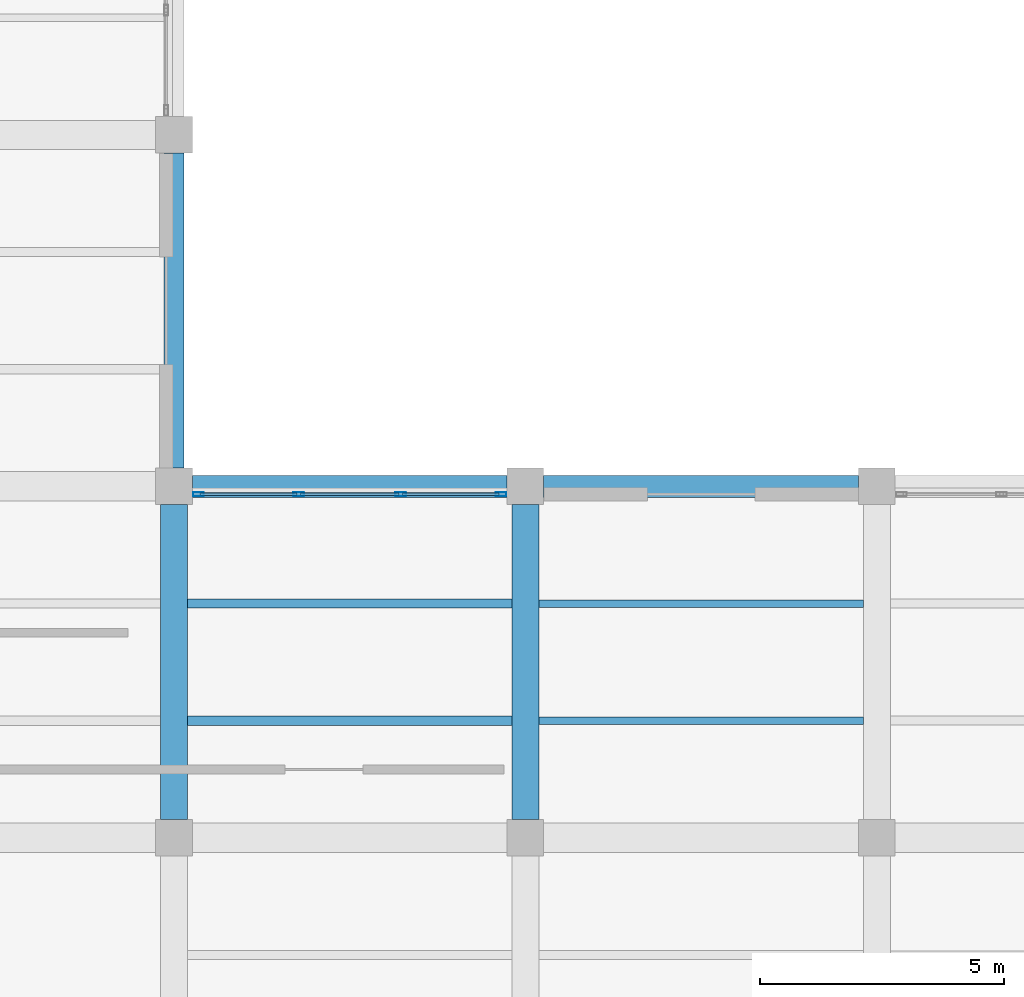
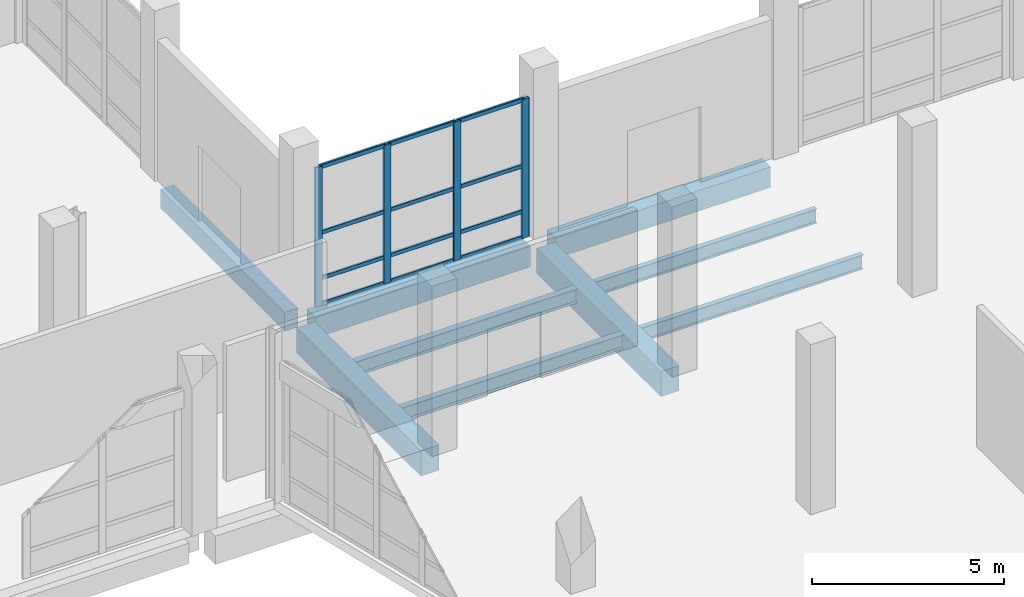
# One storey, part 80 of 137: 16 members, 9 beams, 1 element without a shape of its own.
"""IFC4 building model written with IfcOpenShell, lengths in metres."""

from ifc_helpers import new_model, si_unit, direction, frame, origin, origin_2d, place, context, subcontext, project, spatial, rectangle, hollow_rectangle, i_section, extrude, material, material_profile, profile_set, type_object, element, aggregate, save


model = new_model("IFC4")

# Units and contexts
model_context = context("Model", 3, precision=1e-05, world=origin(), true_north=direction((0.0, 1.0)))
body_context = subcontext(model_context, "Body", "Model", "MODEL_VIEW")
ifc_project = project(units=[si_unit("LENGTHUNIT", "METRE"), si_unit("AREAUNIT", "SQUARE_METRE"), si_unit("VOLUMEUNIT", "CUBIC_METRE"), si_unit("PLANEANGLEUNIT", "RADIAN"), si_unit("MASSUNIT", "GRAM", prefix="KILO")], contexts=[model_context])

# Site, building, storey
site_placement = place(None, origin())
site = spatial("IfcSite", under=ifc_project, at=site_placement, CompositionType="ELEMENT")
building_placement = place(site_placement, origin())
building = spatial("IfcBuilding", under=site, at=building_placement, Name="Kalmorath City Hall", CompositionType="ELEMENT")
storey_placement = place(building_placement, origin())
storey = spatial("IfcBuildingStorey", under=building, at=storey_placement, Name="L00", CompositionType="ELEMENT", Elevation=0.0)

# Beams
ifc_material_1 = material(Name="Concrete C40/50", Category="concrete")
ifc_material_profile_1 = material_profile(ifc_material_1, rectangle(XDim=0.39990234375, YDim=0.60009765625, at=origin_2d()), Name="RC-BM-400X600")
ifc_profile_set_1 = profile_set([ifc_material_profile_1], Name="Concrete C40/50")
beam_type_1 = type_object("IfcBeamType", Name="Concrete edge beam 400x600", PredefinedType="SPANDREL", material=ifc_profile_set_1)
beam_placement = place(storey_placement, frame((129.60009765625, 101.175048828125, -0.60400390625), z_axis=(0.0, 1.0, 0.0), x_axis=(-1.0, 0.0, 0.0)))
element("IfcBeam", 1, at=beam_placement, inside=storey, type_object=beam_type_1, Name="L00 girder CB6 Y19/15-16", PredefinedType="SPANDREL", context=body_context, shape_type="SweptSolid", body=[
    extrude(rectangle(XDim=0.39990234375, YDim=0.60009765625, at=origin_2d()), origin(), (0.0, 0.0, 1.0), 6.449951171875),
])
ifc_material_2 = material(Name="Concrete C40/50", Category="concrete")
ifc_material_profile_2 = material_profile(ifc_material_2, rectangle(XDim=0.550048828125, YDim=0.800048828125, at=origin_2d()), Name="RC-BM-550X800")
ifc_profile_set_2 = profile_set([ifc_material_profile_2], Name="Concrete C40/50")
beam_type_2 = type_object("IfcBeamType", Name="Concrete floor girder 550x800", PredefinedType="BEAM", material=ifc_profile_set_2)
for number, where, z_axis, x_axis, name in (
    (2, (129.60009765625, 93.97509765625, -0.7041015625), (0.0, 1.0, 0.0), (-1.0, 0.0, 0.0), "L00 girder CB2 Y19/14-15"),
    (3, (136.800048828125, 93.97509765625, -0.7041015625), (0.0, 1.0, 0.0), (-1.0, 0.0, 0.0), "L00 girder CB2 Y20/14-15"),
):
    element("IfcBeam", number, at=place(storey_placement, frame(where, z_axis=z_axis, x_axis=x_axis)), inside=storey, type_object=beam_type_2, Name=name, PredefinedType="BEAM", context=body_context, shape_type="SweptSolid", body=[
        extrude(rectangle(XDim=0.550048828125, YDim=0.800048828125, at=origin_2d()), origin(), (0.0, 0.0, 1.0), 6.449951171875),
    ])
ifc_material_3 = material(Name="Concrete C40/50", Category="concrete")
ifc_material_profile_3 = material_profile(ifc_material_3, rectangle(XDim=0.449951171875, YDim=0.64990234375, at=origin_2d()), Name="RC-BM-450X650")
ifc_profile_set_3 = profile_set([ifc_material_profile_3], Name="Concrete C40/50")
beam_type_3 = type_object("IfcBeamType", Name="Concrete spandrel beam 450x650", PredefinedType="SPANDREL", material=ifc_profile_set_3)
for number, where, z_axis, x_axis, name in (
    (4, (129.97509765625, 100.800048828125, -0.62890625), (1.0, 0.0, 0.0), (0.0, 1.0, 0.0), "L00 girder CB5 X19-20/15"),
    (5, (137.175048828125, 100.800048828125, -0.62890625), (1.0, 0.0, 0.0), (0.0, 1.0, 0.0), "L00 girder CB5 X20-21/15"),
):
    element("IfcBeam", number, at=place(storey_placement, frame(where, z_axis=z_axis, x_axis=x_axis)), inside=storey, type_object=beam_type_3, Name=name, PredefinedType="SPANDREL", context=body_context, shape_type="SweptSolid", body=[
        extrude(rectangle(XDim=0.449951171875, YDim=0.64990234375, at=origin_2d()), origin(), (0.0, 0.0, 1.0), 6.449951171875),
    ])

# Curtain wall, members
ifc_material_4 = material(Name="Anodised aluminium and laminated glass", Category="aluminium")
curtain_wall_type = type_object("IfcCurtainWallType", Name="Unitised hurricane curtain wall 6270x4411 M1850", PredefinedType="NOTDEFINED", material=ifc_material_4)
curtain_wall_placement = place(storey_placement, origin())
curtain_wall = element("IfcCurtainWall", 6, at=curtain_wall_placement, inside=storey, type_object=curtain_wall_type, Name="L00 curtain wall CW-63X44M18 #2", PredefinedType="NOTDEFINED")
ifc_material_5 = material(Name="Anodised aluminium framing", Category="aluminium")
ifc_material_profile_4 = material_profile(ifc_material_5, hollow_rectangle(XDim=0.06005859375, YDim=0.1298828125, WallThickness=0.00341796875, InnerFilletRadius=0.00341796875, OuterFilletRadius=0.007080078125, at=origin_2d()), Name="ALU-TRN-130X60X3.5")
ifc_profile_set_4 = profile_set([ifc_material_profile_4], Name="Anodised aluminium framing")
member_type_1 = type_object("IfcMemberType", Name="Curtain-wall courtyard transom 130x60", PredefinedType="USERDEFINED", material=ifc_profile_set_4)
member_1_placement = place(storey_placement, frame((130.139892578125, 100.639892578125, 0.030029296875), z_axis=(1.0, 0.0, 0.0), x_axis=(0.0, 1.0, 0.0)))
member_1 = element("IfcMember", 7, at=member_1_placement, type_object=member_type_1, Name="CW-63X44M18 transom 1.1", ObjectType="TRANSOM", PredefinedType="USERDEFINED", context=body_context, shape_type="SweptSolid", body=[
    extrude(hollow_rectangle(XDim=0.06005859375, YDim=0.1298828125, WallThickness=0.00341796875, InnerFilletRadius=0.00341796875, OuterFilletRadius=0.007080078125, at=origin_2d()), origin(), (0.0, 0.0, 1.0), 1.9775390625),
])
member_2_placement = place(storey_placement, frame((130.139892578125, 100.639892578125, 0.85009765625), z_axis=(1.0, 0.0, 0.0), x_axis=(0.0, 1.0, 0.0)))
member_2 = element("IfcMember", 8, at=member_2_placement, type_object=member_type_1, Name="CW-63X44M18 transom 1.2", ObjectType="TRANSOM", PredefinedType="USERDEFINED", context=body_context, shape_type="SweptSolid", body=[
    extrude(hollow_rectangle(XDim=0.06005859375, YDim=0.1298828125, WallThickness=0.00341796875, InnerFilletRadius=0.00341796875, OuterFilletRadius=0.007080078125, at=origin_2d()), origin(), (0.0, 0.0, 1.0), 1.9775390625),
])
member_3_placement = place(storey_placement, frame((130.139892578125, 100.639892578125, 2.2939453125), z_axis=(1.0, 0.0, 0.0), x_axis=(0.0, 1.0, 0.0)))
member_3 = element("IfcMember", 9, at=member_3_placement, type_object=member_type_1, Name="CW-63X44M18 transom 1.3", ObjectType="TRANSOM", PredefinedType="USERDEFINED", context=body_context, shape_type="SweptSolid", body=[
    extrude(hollow_rectangle(XDim=0.06005859375, YDim=0.1298828125, WallThickness=0.00341796875, InnerFilletRadius=0.00341796875, OuterFilletRadius=0.007080078125, at=origin_2d()), origin(), (0.0, 0.0, 1.0), 1.9775390625),
])
member_4_placement = place(storey_placement, frame((130.139892578125, 100.639892578125, 4.381103515625), z_axis=(1.0, 0.0, 0.0), x_axis=(0.0, 1.0, 0.0)))
member_4 = element("IfcMember", 10, at=member_4_placement, type_object=member_type_1, Name="CW-63X44M18 transom 1.4", ObjectType="TRANSOM", PredefinedType="USERDEFINED", context=body_context, shape_type="SweptSolid", body=[
    extrude(hollow_rectangle(XDim=0.06005859375, YDim=0.1298828125, WallThickness=0.00341796875, InnerFilletRadius=0.00341796875, OuterFilletRadius=0.007080078125, at=origin_2d()), origin(), (0.0, 0.0, 1.0), 1.9775390625),
])
member_5_placement = place(storey_placement, frame((132.1923828125, 100.639892578125, 0.030029296875), z_axis=(1.0, 0.0, 0.0), x_axis=(0.0, 1.0, 0.0)))
member_5 = element("IfcMember", 11, at=member_5_placement, type_object=member_type_1, Name="CW-63X44M18 transom 2.1", ObjectType="TRANSOM", PredefinedType="USERDEFINED", context=body_context, shape_type="SweptSolid", body=[
    extrude(hollow_rectangle(XDim=0.06005859375, YDim=0.1298828125, WallThickness=0.00341796875, InnerFilletRadius=0.00341796875, OuterFilletRadius=0.007080078125, at=origin_2d()), origin(), (0.0, 0.0, 1.0), 2.01513671875),
])
member_6_placement = place(storey_placement, frame((132.1923828125, 100.639892578125, 0.85009765625), z_axis=(1.0, 0.0, 0.0), x_axis=(0.0, 1.0, 0.0)))
member_6 = element("IfcMember", 12, at=member_6_placement, type_object=member_type_1, Name="CW-63X44M18 transom 2.2", ObjectType="TRANSOM", PredefinedType="USERDEFINED", context=body_context, shape_type="SweptSolid", body=[
    extrude(hollow_rectangle(XDim=0.06005859375, YDim=0.1298828125, WallThickness=0.00341796875, InnerFilletRadius=0.00341796875, OuterFilletRadius=0.007080078125, at=origin_2d()), origin(), (0.0, 0.0, 1.0), 2.01513671875),
])
member_7_placement = place(storey_placement, frame((132.1923828125, 100.639892578125, 2.2939453125), z_axis=(1.0, 0.0, 0.0), x_axis=(0.0, 1.0, 0.0)))
member_7 = element("IfcMember", 13, at=member_7_placement, type_object=member_type_1, Name="CW-63X44M18 transom 2.3", ObjectType="TRANSOM", PredefinedType="USERDEFINED", context=body_context, shape_type="SweptSolid", body=[
    extrude(hollow_rectangle(XDim=0.06005859375, YDim=0.1298828125, WallThickness=0.00341796875, InnerFilletRadius=0.00341796875, OuterFilletRadius=0.007080078125, at=origin_2d()), origin(), (0.0, 0.0, 1.0), 2.01513671875),
])
member_8_placement = place(storey_placement, frame((132.1923828125, 100.639892578125, 4.381103515625), z_axis=(1.0, 0.0, 0.0), x_axis=(0.0, 1.0, 0.0)))
member_8 = element("IfcMember", 14, at=member_8_placement, type_object=member_type_1, Name="CW-63X44M18 transom 2.4", ObjectType="TRANSOM", PredefinedType="USERDEFINED", context=body_context, shape_type="SweptSolid", body=[
    extrude(hollow_rectangle(XDim=0.06005859375, YDim=0.1298828125, WallThickness=0.00341796875, InnerFilletRadius=0.00341796875, OuterFilletRadius=0.007080078125, at=origin_2d()), origin(), (0.0, 0.0, 1.0), 2.01513671875),
])
member_9_placement = place(storey_placement, frame((134.282470703125, 100.639892578125, 0.030029296875), z_axis=(1.0, 0.0, 0.0), x_axis=(0.0, 1.0, 0.0)))
member_9 = element("IfcMember", 15, at=member_9_placement, type_object=member_type_1, Name="CW-63X44M18 transom 3.1", ObjectType="TRANSOM", PredefinedType="USERDEFINED", context=body_context, shape_type="SweptSolid", body=[
    extrude(hollow_rectangle(XDim=0.06005859375, YDim=0.1298828125, WallThickness=0.00341796875, InnerFilletRadius=0.00341796875, OuterFilletRadius=0.007080078125, at=origin_2d()), origin(), (0.0, 0.0, 1.0), 1.9775390625),
])
member_10_placement = place(storey_placement, frame((134.282470703125, 100.639892578125, 0.85009765625), z_axis=(1.0, 0.0, 0.0), x_axis=(0.0, 1.0, 0.0)))
member_10 = element("IfcMember", 16, at=member_10_placement, type_object=member_type_1, Name="CW-63X44M18 transom 3.2", ObjectType="TRANSOM", PredefinedType="USERDEFINED", context=body_context, shape_type="SweptSolid", body=[
    extrude(hollow_rectangle(XDim=0.06005859375, YDim=0.1298828125, WallThickness=0.00341796875, InnerFilletRadius=0.00341796875, OuterFilletRadius=0.007080078125, at=origin_2d()), origin(), (0.0, 0.0, 1.0), 1.9775390625),
])
member_11_placement = place(storey_placement, frame((134.282470703125, 100.639892578125, 2.2939453125), z_axis=(1.0, 0.0, 0.0), x_axis=(0.0, 1.0, 0.0)))
member_11 = element("IfcMember", 17, at=member_11_placement, type_object=member_type_1, Name="CW-63X44M18 transom 3.3", ObjectType="TRANSOM", PredefinedType="USERDEFINED", context=body_context, shape_type="SweptSolid", body=[
    extrude(hollow_rectangle(XDim=0.06005859375, YDim=0.1298828125, WallThickness=0.00341796875, InnerFilletRadius=0.00341796875, OuterFilletRadius=0.007080078125, at=origin_2d()), origin(), (0.0, 0.0, 1.0), 1.9775390625),
])
member_12_placement = place(storey_placement, frame((134.282470703125, 100.639892578125, 4.381103515625), z_axis=(1.0, 0.0, 0.0), x_axis=(0.0, 1.0, 0.0)))
member_12 = element("IfcMember", 18, at=member_12_placement, type_object=member_type_1, Name="CW-63X44M18 transom 3.4", ObjectType="TRANSOM", PredefinedType="USERDEFINED", context=body_context, shape_type="SweptSolid", body=[
    extrude(hollow_rectangle(XDim=0.06005859375, YDim=0.1298828125, WallThickness=0.00341796875, InnerFilletRadius=0.00341796875, OuterFilletRadius=0.007080078125, at=origin_2d()), origin(), (0.0, 0.0, 1.0), 1.9775390625),
])
ifc_material_6 = material(Name="Anodised aluminium framing", Category="aluminium")
ifc_material_profile_5 = material_profile(ifc_material_6, hollow_rectangle(XDim=0.074951171875, YDim=0.219970703125, WallThickness=0.00390625, InnerFilletRadius=0.00390625, OuterFilletRadius=0.008056640625, at=origin_2d()), Name="ALU-MUL-220X75X4")
ifc_profile_set_5 = profile_set([ifc_material_profile_5], Name="Anodised aluminium framing")
member_type_2 = type_object("IfcMemberType", Name="Curtain-wall primary mullion 220x75", PredefinedType="MULLION", material=ifc_profile_set_5)
member_13_placement = place(storey_placement, frame((130.1025390625, 100.639892578125, 0.0), z_axis=(0.0, 0.0, 1.0), x_axis=(0.0, 1.0, 0.0)))
member_13 = element("IfcMember", 19, at=member_13_placement, type_object=member_type_2, Name="CW-63X44M18 mullion 1", PredefinedType="MULLION", context=body_context, shape_type="SweptSolid", body=[
    extrude(hollow_rectangle(XDim=0.074951171875, YDim=0.219970703125, WallThickness=0.00390625, InnerFilletRadius=0.00390625, OuterFilletRadius=0.008056640625, at=origin_2d()), origin(), (0.0, 0.0, 1.0), 4.410888671875),
])
member_14_placement = place(storey_placement, frame((132.155029296875, 100.639892578125, 0.0), z_axis=(0.0, 0.0, 1.0), x_axis=(0.0, 1.0, 0.0)))
member_14 = element("IfcMember", 20, at=member_14_placement, type_object=member_type_2, Name="CW-63X44M18 mullion 2", PredefinedType="MULLION", context=body_context, shape_type="SweptSolid", body=[
    extrude(hollow_rectangle(XDim=0.074951171875, YDim=0.219970703125, WallThickness=0.00390625, InnerFilletRadius=0.00390625, OuterFilletRadius=0.008056640625, at=origin_2d()), origin(), (0.0, 0.0, 1.0), 4.410888671875),
])
member_15_placement = place(storey_placement, frame((134.2451171875, 100.639892578125, 0.0), z_axis=(0.0, 0.0, 1.0), x_axis=(0.0, 1.0, 0.0)))
member_15 = element("IfcMember", 21, at=member_15_placement, type_object=member_type_2, Name="CW-63X44M18 mullion 3", PredefinedType="MULLION", context=body_context, shape_type="SweptSolid", body=[
    extrude(hollow_rectangle(XDim=0.074951171875, YDim=0.219970703125, WallThickness=0.00390625, InnerFilletRadius=0.00390625, OuterFilletRadius=0.008056640625, at=origin_2d()), origin(), (0.0, 0.0, 1.0), 4.410888671875),
])
member_16_placement = place(storey_placement, frame((136.297607421875, 100.639892578125, 0.0), z_axis=(0.0, 0.0, 1.0), x_axis=(0.0, 1.0, 0.0)))
member_16 = element("IfcMember", 22, at=member_16_placement, type_object=member_type_2, Name="CW-63X44M18 mullion 4", PredefinedType="MULLION", context=body_context, shape_type="SweptSolid", body=[
    extrude(hollow_rectangle(XDim=0.074951171875, YDim=0.219970703125, WallThickness=0.00390625, InnerFilletRadius=0.00390625, OuterFilletRadius=0.008056640625, at=origin_2d()), origin(), (0.0, 0.0, 1.0), 4.410888671875),
])
aggregate(curtain_wall, [member_13, member_14, member_15, member_16, member_1, member_2, member_3, member_4, member_5, member_6, member_7, member_8, member_9, member_10, member_11, member_12])

# Beams
ifc_material_7 = material(Name="Steel ASTM A992 Grade 50", Category="steel")
ifc_material_profile_6 = material_profile(ifc_material_7, i_section(OverallWidth=0.153076171875, OverallDepth=0.455078125, WebThickness=0.008056640625, FlangeThickness=0.01318359375, FilletRadius=0.013916015625, at=origin_2d()), Name="W18X40")
ifc_profile_set_6 = profile_set([ifc_material_profile_6], Name="Steel ASTM A992 Grade 50")
beam_type_4 = type_object("IfcBeamType", Name="Steel composite joist W18X40", PredefinedType="JOIST", material=ifc_profile_set_6)
for number, where, z_axis, x_axis, name in (
    (23, (137.074951171875, 96.0, -0.531494140625), (1.0, 0.0, 0.0), (0.0, 1.0, 0.0), "L00 joist SJ4 20.14.1"),
    (24, (137.074951171875, 98.39990234375, -0.531494140625), (1.0, 0.0, 0.0), (0.0, 1.0, 0.0), "L00 joist SJ4 20.14.2"),
):
    element("IfcBeam", number, at=place(storey_placement, frame(where, z_axis=z_axis, x_axis=x_axis)), inside=storey, type_object=beam_type_4, Name=name, PredefinedType="JOIST", context=body_context, shape_type="SweptSolid", body=[
        extrude(i_section(OverallWidth=0.153076171875, OverallDepth=0.455078125, WebThickness=0.008056640625, FlangeThickness=0.01318359375, FilletRadius=0.013916015625, at=origin_2d()), origin(), (0.0, 0.0, 1.0), 6.650146484375),
    ])
ifc_material_8 = material(Name="Steel ASTM A992 Grade 50", Category="steel")
ifc_material_profile_7 = material_profile(ifc_material_8, i_section(OverallWidth=0.19091796875, OverallDepth=0.45703125, WebThickness=0.009033203125, FlangeThickness=0.014404296875, FilletRadius=0.013916015625, at=origin_2d()), Name="W18X50")
ifc_profile_set_7 = profile_set([ifc_material_profile_7], Name="Steel ASTM A992 Grade 50")
beam_type_5 = type_object("IfcBeamType", Name="Steel composite joist W18X50", PredefinedType="JOIST", material=ifc_profile_set_7)
for number, where, z_axis, x_axis, name in (
    (25, (129.875, 96.0, -0.532470703125), (1.0, 0.0, 0.0), (0.0, 1.0, 0.0), "L00 joist SJ3 19.14.1"),
    (26, (129.875, 98.39990234375, -0.532470703125), (1.0, 0.0, 0.0), (0.0, 1.0, 0.0), "L00 joist SJ3 19.14.2"),
):
    element("IfcBeam", number, at=place(storey_placement, frame(where, z_axis=z_axis, x_axis=x_axis)), inside=storey, type_object=beam_type_5, Name=name, PredefinedType="JOIST", context=body_context, shape_type="SweptSolid", body=[
        extrude(i_section(OverallWidth=0.19091796875, OverallDepth=0.45703125, WebThickness=0.009033203125, FlangeThickness=0.014404296875, FilletRadius=0.013916015625, at=origin_2d()), origin(), (0.0, 0.0, 1.0), 6.64990234375),
    ])

save(model, "model.ifc")
